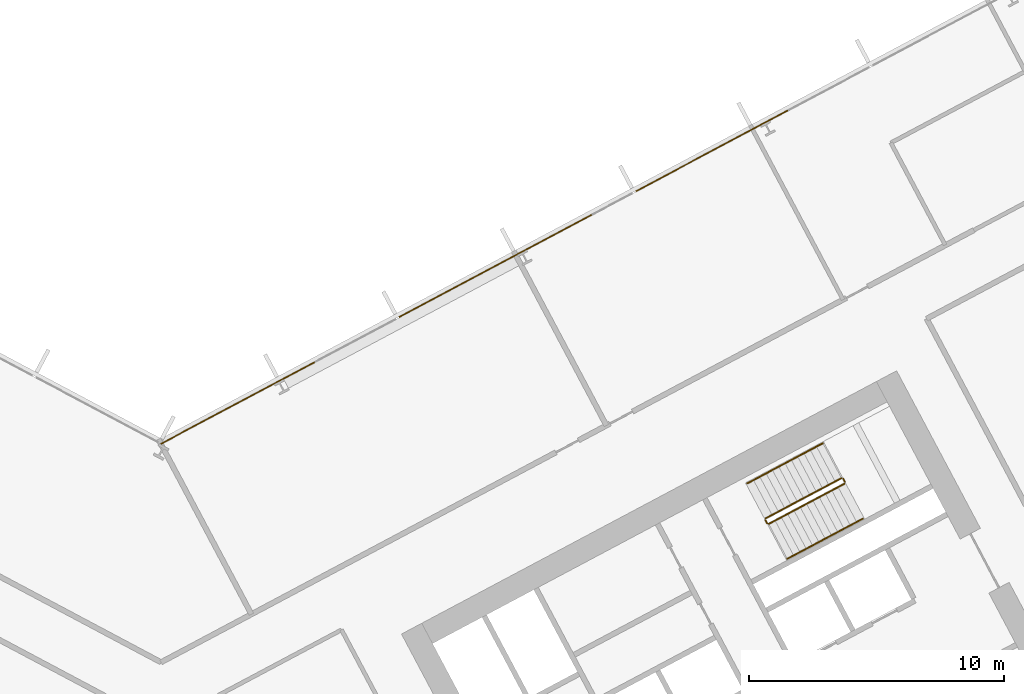
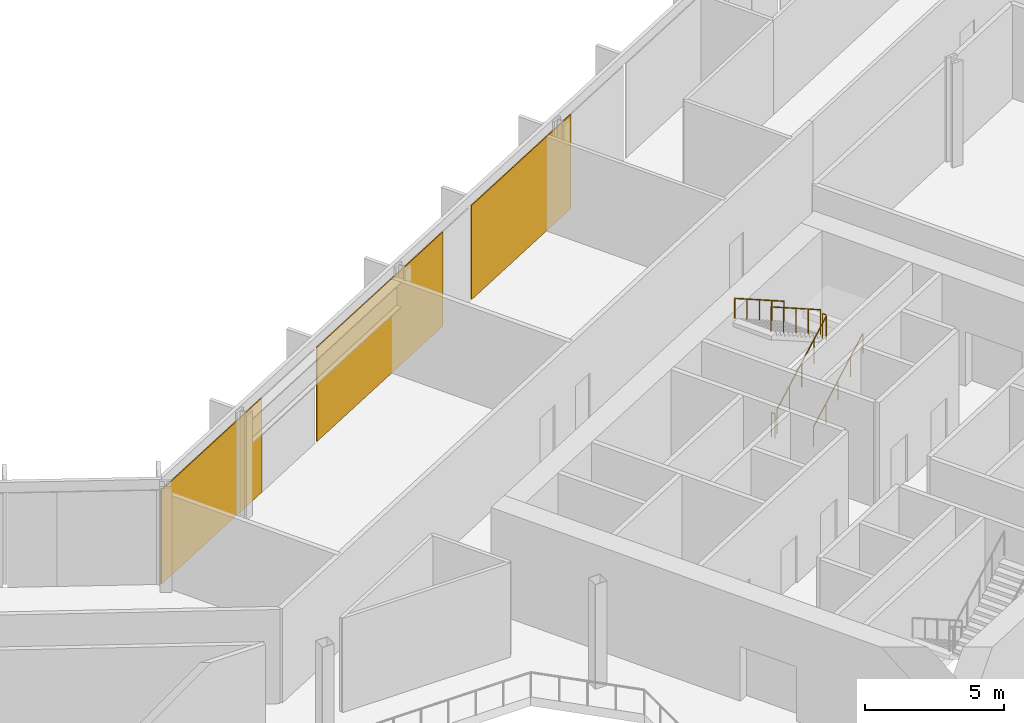
# One storey, part 29 of 31: 6 railings, 3 coverings, 1 element without a shape of its own.
"""IFC4 building model written with IfcOpenShell, lengths in metres."""

from ifc_helpers import new_model, si_unit, direction, frame, origin, origin_2d, place, context, subcontext, project, spatial, polyline, rectangle, outline, extrude, material, layer, layer_set, type_object, element, aggregate, save


model = new_model("IFC4")

# Units and contexts
model_context = context("Model", 3, precision=1e-05, world=origin(), true_north=direction((0.0, 1.0)))
body_context = subcontext(model_context, "Body", "Model", "MODEL_VIEW")
ifc_project = project(units=[si_unit("LENGTHUNIT", "METRE"), si_unit("AREAUNIT", "SQUARE_METRE"), si_unit("VOLUMEUNIT", "CUBIC_METRE"), si_unit("PLANEANGLEUNIT", "RADIAN"), si_unit("MASSUNIT", "GRAM", prefix="KILO")], contexts=[model_context])

# Site, building, storey
site_placement = place(None, origin())
site = spatial("IfcSite", under=ifc_project, at=site_placement, CompositionType="ELEMENT")
building_placement = place(site_placement, origin())
building = spatial("IfcBuilding", under=site, at=building_placement, Name="Cormorant Relay Tower", CompositionType="ELEMENT")
storey_placement = place(building_placement, frame((0.0, 0.0, 107.60009765625)))
storey = spatial("IfcBuildingStorey", under=building, at=storey_placement, Name="L21", CompositionType="ELEMENT", Elevation=107.60009765625)

# Curtain wall, coverings
ifc_material_1 = material(Name="Aluminium 6063-T6 anodised bronze", Category="aluminium")
ifc_layer_1 = layer(ifc_material_1, 0.199951171875)
ifc_layer_set_1 = layer_set([ifc_layer_1], Name="CW1 unitised bronze curtain wall with vertical fins")
curtain_wall_type = type_object("IfcCurtainWallType", Name="CW1 unitised bronze curtain wall with vertical fins", PredefinedType="NOTDEFINED", material=ifc_layer_set_1)
curtain_wall_placement = place(storey_placement, origin())
curtain_wall = element("IfcCurtainWall", 1, at=curtain_wall_placement, inside=storey, type_object=curtain_wall_type, Name="CW1 curtain wall 6", PredefinedType="NOTDEFINED")
ifc_material_2 = material(Name="Pale bronze anodised aluminium insulated panel", Category="aluminium")
ifc_layer_2 = layer(ifc_material_2, 0.0400390625)
ifc_layer_set_2 = layer_set([ifc_layer_2], Name="CW1 pale bronze insulated panel 40")
covering_type = type_object("IfcCoveringType", Name="CW1 pale bronze insulated panel 40", PredefinedType="CLADDING", material=ifc_layer_set_2)
covering_1_placement = place(storey_placement, frame((21.6123046875, 35.298095703125, 0.0), z_axis=(0.0, 0.0, 1.0), x_axis=(-0.882947592859, -0.469471562786, 0.0)))
covering_1 = element("IfcCovering", 2, at=covering_1_placement, type_object=covering_type, Name="CW1 panel S06", PredefinedType="CLADDING", context=body_context, shape_type="SweptSolid", body=[
    extrude(rectangle(XDim=6.765380859375, YDim=0.0400390625, at=origin_2d()), origin(), (0.0, 0.0, 1.0), 4.14990234375),
])
covering_2_placement = place(storey_placement, frame((13.12255859375, 30.7841796875, 0.0), z_axis=(0.0, 0.0, 1.0), x_axis=(-0.882947592859, -0.469471562786, 0.0)))
covering_2 = element("IfcCovering", 3, at=covering_2_placement, type_object=covering_type, Name="CW1 panel S08", PredefinedType="CLADDING", context=body_context, shape_type="SweptSolid", body=[
    extrude(rectangle(XDim=8.565185546875, YDim=0.0400390625, at=origin_2d()), origin(), (0.0, 0.0, 1.0), 4.14990234375),
])
covering_3_placement = place(storey_placement, frame((3.010498046875, 25.4072265625, 0.0), z_axis=(0.0, 0.0, 1.0), x_axis=(-0.882947592859, -0.469471562786, 0.0)))
covering_3 = element("IfcCovering", 4, at=covering_3_placement, type_object=covering_type, Name="CW1 panel S10", PredefinedType="CLADDING", context=body_context, shape_type="SweptSolid", body=[
    extrude(rectangle(XDim=6.84033203125, YDim=0.0400390625, at=origin_2d()), origin(), (0.0, 0.0, 1.0), 4.14990234375),
])
aggregate(curtain_wall, [covering_1, covering_2, covering_3])

# Railings
ifc_material_3 = material(Name="Steel ASTM A572 Grade 50 (Fy 345 MPa)", Category="steel")
railing_type_1 = type_object("IfcRailingType", Name="Stair guard 1100", PredefinedType="GUARDRAIL", material=ifc_material_3)
railing_1_placement = place(storey_placement, frame((23.8408203125, 20.6611328125, 0.1767578125)))
element("IfcRailing", 5, at=railing_1_placement, inside=storey, type_object=railing_type_1, Name="L21 B2 stair guard 1", PredefinedType="GUARDRAIL", context=body_context, shape_type="SweptSolid", body=[
    extrude(outline(polyline([(0.022216796875, 0.00927734375), (0.00927734375, 0.022216796875), (-0.00927734375, 0.022216796875), (-0.022216796875, 0.00927734375), (-0.022216796875, -0.00927734375), (-0.00927734375, -0.022216796875), (0.00927734375, -0.022216796875), (0.022216796875, -0.00927734375), (0.022216796875, 0.00927734375)])), frame((0.0, 0.0, 1.076171875), z_axis=(0.746440668329, 0.396869088057, 0.534154711306), x_axis=(-0.46945269911, 0.882957622595, 0.0)), (0.0, 0.0, 1.0), 3.974609375),
    extrude(outline(polyline([(0.019287109375, 0.008056640625), (0.008056640625, 0.019287109375), (-0.008056640625, 0.019287109375), (-0.019287109375, 0.008056640625), (-0.019287109375, -0.008056640625), (-0.008056640625, -0.019287109375), (0.008056640625, -0.019287109375), (0.019287109375, -0.008056640625), (0.019287109375, 0.008056640625)])), origin(), (0.0, 0.0, 1.0), 1.052001953125),
    extrude(outline(polyline([(0.019287109375, 0.008056640625), (0.008056640625, 0.019287109375), (-0.008056640625, 0.019287109375), (-0.019287109375, 0.008056640625), (-0.019287109375, -0.008056640625), (-0.008056640625, -0.019287109375), (0.008056640625, -0.019287109375), (0.019287109375, -0.008056640625), (0.019287109375, 0.008056640625)])), frame((0.74169921875, 0.394287109375, 0.53076171875)), (0.0, 0.0, 1.0), 1.052001953125),
    extrude(outline(polyline([(0.019287109375, 0.008056640625), (0.008056640625, 0.019287109375), (-0.008056640625, 0.019287109375), (-0.019287109375, 0.008056640625), (-0.019287109375, -0.008056640625), (-0.008056640625, -0.019287109375), (0.008056640625, -0.019287109375), (0.019287109375, -0.008056640625), (0.019287109375, 0.008056640625)])), frame((1.4833984375, 0.78857421875, 1.0615234375)), (0.0, 0.0, 1.0), 1.052001953125),
    extrude(outline(polyline([(0.019287109375, 0.008056640625), (0.008056640625, 0.019287109375), (-0.008056640625, 0.019287109375), (-0.019287109375, 0.008056640625), (-0.019287109375, -0.008056640625), (-0.008056640625, -0.019287109375), (0.008056640625, -0.019287109375), (0.019287109375, -0.008056640625), (0.019287109375, 0.008056640625)])), frame((2.22509765625, 1.18310546875, 1.59228515625)), (0.0, 0.0, 1.0), 1.052001953125),
    extrude(outline(polyline([(0.019287109375, 0.008056640625), (0.008056640625, 0.019287109375), (-0.008056640625, 0.019287109375), (-0.019287109375, 0.008056640625), (-0.019287109375, -0.008056640625), (-0.008056640625, -0.019287109375), (0.008056640625, -0.019287109375), (0.019287109375, -0.008056640625), (0.019287109375, 0.008056640625)])), frame((2.966796875, 1.577392578125, 2.123046875)), (0.0, 0.0, 1.0), 1.052001953125),
])
railing_2_placement = place(storey_placement, frame((26.828125, 22.30615234375, 2.2998046875)))
element("IfcRailing", 6, at=railing_2_placement, inside=storey, type_object=railing_type_1, Name="L21 B2 stair guard 2", PredefinedType="GUARDRAIL", context=body_context, shape_type="SweptSolid", body=[
    extrude(outline(polyline([(0.022216796875, 0.00927734375), (0.00927734375, 0.022216796875), (-0.00927734375, 0.022216796875), (-0.022216796875, 0.00927734375), (-0.022216796875, -0.00927734375), (-0.00927734375, -0.022216796875), (0.00927734375, -0.022216796875), (0.022216796875, -0.00927734375), (0.022216796875, 0.00927734375)])), frame((0.0, 0.0, 1.076171875), z_axis=(-0.469234640946, 0.883073525669, 0.0), x_axis=(-0.883073525669, -0.469234640946, 0.0)), (0.0, 0.0, 1.0), 0.14990234375),
    extrude(outline(polyline([(0.019287109375, 0.008056640625), (0.008056640625, 0.019287109375), (-0.008056640625, 0.019287109375), (-0.019287109375, 0.008056640625), (-0.019287109375, -0.008056640625), (-0.008056640625, -0.019287109375), (0.008056640625, -0.019287109375), (0.019287109375, -0.008056640625), (0.019287109375, 0.008056640625)])), origin(), (0.0, 0.0, 1.0), 1.052001953125),
    extrude(outline(polyline([(0.019287109375, 0.008056640625), (0.008056640625, 0.019287109375), (-0.008056640625, 0.019287109375), (-0.019287109375, 0.008056640625), (-0.019287109375, -0.008056640625), (-0.008056640625, -0.019287109375), (0.008056640625, -0.019287109375), (0.019287109375, -0.008056640625), (0.019287109375, 0.008056640625)])), frame((-0.0703125, 0.13232421875, 0.0)), (0.0, 0.0, 1.0), 1.052001953125),
])
railing_3_placement = place(storey_placement, frame((26.690185546875, 22.459228515625, 2.476806640625)))
element("IfcRailing", 7, at=railing_3_placement, inside=storey, type_object=railing_type_1, Name="L21 B2 stair guard 3", PredefinedType="GUARDRAIL", context=body_context, shape_type="SweptSolid", body=[
    extrude(outline(polyline([(0.022216796875, 0.00927734375), (0.00927734375, 0.022216796875), (-0.00927734375, 0.022216796875), (-0.022216796875, 0.00927734375), (-0.022216796875, -0.00927734375), (-0.00927734375, -0.022216796875), (0.00927734375, -0.022216796875), (0.022216796875, -0.00927734375), (0.022216796875, 0.00927734375)])), frame((0.0, 0.0, 1.076171875), z_axis=(-0.746440668329, -0.396869088057, 0.534154711306), x_axis=(0.46945269911, -0.882957622595, 0.0)), (0.0, 0.0, 1.0), 3.974609375),
    extrude(outline(polyline([(0.019287109375, 0.008056640625), (0.008056640625, 0.019287109375), (-0.008056640625, 0.019287109375), (-0.019287109375, 0.008056640625), (-0.019287109375, -0.008056640625), (-0.008056640625, -0.019287109375), (0.008056640625, -0.019287109375), (0.019287109375, -0.008056640625), (0.019287109375, 0.008056640625)])), origin(), (0.0, 0.0, 1.0), 1.052001953125),
    extrude(outline(polyline([(0.019287109375, 0.008056640625), (0.008056640625, 0.019287109375), (-0.008056640625, 0.019287109375), (-0.019287109375, 0.008056640625), (-0.019287109375, -0.008056640625), (-0.008056640625, -0.019287109375), (0.008056640625, -0.019287109375), (0.019287109375, -0.008056640625), (0.019287109375, 0.008056640625)])), frame((-0.74169921875, -0.394287109375, 0.53076171875)), (0.0, 0.0, 1.0), 1.052001953125),
    extrude(outline(polyline([(0.019287109375, 0.008056640625), (0.008056640625, 0.019287109375), (-0.008056640625, 0.019287109375), (-0.019287109375, 0.008056640625), (-0.019287109375, -0.008056640625), (-0.008056640625, -0.019287109375), (0.008056640625, -0.019287109375), (0.019287109375, -0.008056640625), (0.019287109375, 0.008056640625)])), frame((-1.4833984375, -0.78857421875, 1.0615234375)), (0.0, 0.0, 1.0), 1.052001953125),
    extrude(outline(polyline([(0.019287109375, 0.008056640625), (0.008056640625, 0.019287109375), (-0.008056640625, 0.019287109375), (-0.019287109375, 0.008056640625), (-0.019287109375, -0.008056640625), (-0.008056640625, -0.019287109375), (0.008056640625, -0.019287109375), (0.019287109375, -0.008056640625), (0.019287109375, 0.008056640625)])), frame((-2.22509765625, -1.18310546875, 1.59228515625)), (0.0, 0.0, 1.0), 1.052001953125),
    extrude(outline(polyline([(0.019287109375, 0.008056640625), (0.008056640625, 0.019287109375), (-0.008056640625, 0.019287109375), (-0.019287109375, 0.008056640625), (-0.019287109375, -0.008056640625), (-0.008056640625, -0.019287109375), (0.008056640625, -0.019287109375), (0.019287109375, -0.008056640625), (0.019287109375, 0.008056640625)])), frame((-2.966796875, -1.577392578125, 2.123046875)), (0.0, 0.0, 1.0), 1.052001953125),
])
railing_4_placement = place(storey_placement, frame((23.773193359375, 20.681640625, 0.0)))
element("IfcRailing", 8, at=railing_4_placement, inside=storey, type_object=railing_type_1, Name="L21 B2 stair guard 4", PredefinedType="GUARDRAIL", context=body_context, shape_type="SweptSolid", body=[
    extrude(outline(polyline([(0.022216796875, 0.00927734375), (0.00927734375, 0.022216796875), (-0.00927734375, 0.022216796875), (-0.022216796875, 0.00927734375), (-0.022216796875, -0.00927734375), (-0.00927734375, -0.022216796875), (0.00927734375, -0.022216796875), (0.022216796875, -0.00927734375), (0.022216796875, 0.00927734375)])), frame((0.0, 0.0, 1.076171875), z_axis=(-0.46856034887, 0.8834314911, 0.0), x_axis=(-0.8834314911, -0.46856034887, 0.0)), (0.0, 0.0, 1.0), 0.150146484375),
    extrude(outline(polyline([(0.019287109375, 0.008056640625), (0.008056640625, 0.019287109375), (-0.008056640625, 0.019287109375), (-0.019287109375, 0.008056640625), (-0.019287109375, -0.008056640625), (-0.008056640625, -0.019287109375), (0.008056640625, -0.019287109375), (0.019287109375, -0.008056640625), (0.019287109375, 0.008056640625)])), origin(), (0.0, 0.0, 1.0), 1.052001953125),
    extrude(outline(polyline([(0.019287109375, 0.008056640625), (0.008056640625, 0.019287109375), (-0.008056640625, 0.019287109375), (-0.019287109375, 0.008056640625), (-0.019287109375, -0.008056640625), (-0.008056640625, -0.019287109375), (0.008056640625, -0.019287109375), (0.019287109375, -0.008056640625), (0.019287109375, 0.008056640625)])), frame((-0.0703125, 0.132568359375, 0.0)), (0.0, 0.0, 1.0), 1.052001953125),
])
ifc_material_4 = material(Name="Steel ASTM A572 Grade 50 (Fy 345 MPa)", Category="steel")
railing_type_2 = type_object("IfcRailingType", Name="Stair handrail 900", PredefinedType="HANDRAIL", material=ifc_material_4)
railing_5_placement = place(storey_placement, frame((24.568603515625, 19.29248046875, 0.1767578125)))
element("IfcRailing", 9, at=railing_5_placement, inside=storey, type_object=railing_type_2, Name="L21 B2 stair handrail 1", PredefinedType="HANDRAIL", context=body_context, shape_type="SweptSolid", body=[
    extrude(outline(polyline([(0.022216796875, 0.00927734375), (0.00927734375, 0.022216796875), (-0.00927734375, 0.022216796875), (-0.022216796875, 0.00927734375), (-0.022216796875, -0.00927734375), (-0.00927734375, -0.022216796875), (0.00927734375, -0.022216796875), (0.022216796875, -0.00927734375), (0.022216796875, 0.00927734375)])), frame((0.0, 0.0, 0.8759765625), z_axis=(0.746413465702, 0.396887285154, 0.534179203172), x_axis=(-0.469482818608, 0.88294160794, 0.0)), (0.0, 0.0, 1.0), 3.974365234375),
    extrude(outline(polyline([(0.019287109375, 0.008056640625), (0.008056640625, 0.019287109375), (-0.008056640625, 0.019287109375), (-0.019287109375, 0.008056640625), (-0.019287109375, -0.008056640625), (-0.008056640625, -0.019287109375), (0.008056640625, -0.019287109375), (0.019287109375, -0.008056640625), (0.019287109375, 0.008056640625)])), origin(), (0.0, 0.0, 1.0), 0.851806640625),
    extrude(outline(polyline([(0.019287109375, 0.008056640625), (0.008056640625, 0.019287109375), (-0.008056640625, 0.019287109375), (-0.019287109375, 0.008056640625), (-0.019287109375, -0.008056640625), (-0.008056640625, -0.019287109375), (0.008056640625, -0.019287109375), (0.019287109375, -0.008056640625), (0.019287109375, 0.008056640625)])), frame((0.74169921875, 0.394287109375, 0.53076171875)), (0.0, 0.0, 1.0), 0.851806640625),
    extrude(outline(polyline([(0.019287109375, 0.008056640625), (0.008056640625, 0.019287109375), (-0.008056640625, 0.019287109375), (-0.019287109375, 0.008056640625), (-0.019287109375, -0.008056640625), (-0.008056640625, -0.019287109375), (0.008056640625, -0.019287109375), (0.019287109375, -0.008056640625), (0.019287109375, 0.008056640625)])), frame((1.4833984375, 0.78857421875, 1.0615234375)), (0.0, 0.0, 1.0), 0.851806640625),
    extrude(outline(polyline([(0.019287109375, 0.008056640625), (0.008056640625, 0.019287109375), (-0.008056640625, 0.019287109375), (-0.019287109375, 0.008056640625), (-0.019287109375, -0.008056640625), (-0.008056640625, -0.019287109375), (0.008056640625, -0.019287109375), (0.019287109375, -0.008056640625), (0.019287109375, 0.008056640625)])), frame((2.224853515625, 1.18310546875, 1.59228515625)), (0.0, 0.0, 1.0), 0.851806640625),
    extrude(outline(polyline([(0.019287109375, 0.008056640625), (0.008056640625, 0.019287109375), (-0.008056640625, 0.019287109375), (-0.019287109375, 0.008056640625), (-0.019287109375, -0.008056640625), (-0.008056640625, -0.019287109375), (0.008056640625, -0.019287109375), (0.019287109375, -0.008056640625), (0.019287109375, 0.008056640625)])), frame((2.966552734375, 1.577392578125, 2.123046875)), (0.0, 0.0, 1.0), 0.851806640625),
])
railing_6_placement = place(storey_placement, frame((25.96240234375, 23.827880859375, 2.476806640625)))
element("IfcRailing", 10, at=railing_6_placement, inside=storey, type_object=railing_type_2, Name="L21 B2 stair handrail 2", PredefinedType="HANDRAIL", context=body_context, shape_type="SweptSolid", body=[
    extrude(outline(polyline([(0.022216796875, 0.00927734375), (0.00927734375, 0.022216796875), (-0.00927734375, 0.022216796875), (-0.022216796875, 0.00927734375), (-0.022216796875, -0.00927734375), (-0.00927734375, -0.022216796875), (0.00927734375, -0.022216796875), (0.022216796875, -0.00927734375), (0.022216796875, 0.00927734375)])), frame((0.0, 0.0, 0.8759765625), z_axis=(-0.74639526736, -0.39693903528, 0.534166179324), x_axis=(0.469539463624, -0.882911485994, 0.0)), (0.0, 0.0, 1.0), 3.974609375),
    extrude(outline(polyline([(0.019287109375, 0.008056640625), (0.008056640625, 0.019287109375), (-0.008056640625, 0.019287109375), (-0.019287109375, 0.008056640625), (-0.019287109375, -0.008056640625), (-0.008056640625, -0.019287109375), (0.008056640625, -0.019287109375), (0.019287109375, -0.008056640625), (0.019287109375, 0.008056640625)])), origin(), (0.0, 0.0, 1.0), 0.851806640625),
    extrude(outline(polyline([(0.019287109375, 0.008056640625), (0.008056640625, 0.019287109375), (-0.008056640625, 0.019287109375), (-0.019287109375, 0.008056640625), (-0.019287109375, -0.008056640625), (-0.008056640625, -0.019287109375), (0.008056640625, -0.019287109375), (0.019287109375, -0.008056640625), (0.019287109375, 0.008056640625)])), frame((-0.74169921875, -0.39453125, 0.53076171875)), (0.0, 0.0, 1.0), 0.851806640625),
    extrude(outline(polyline([(0.019287109375, 0.008056640625), (0.008056640625, 0.019287109375), (-0.008056640625, 0.019287109375), (-0.019287109375, 0.008056640625), (-0.019287109375, -0.008056640625), (-0.008056640625, -0.019287109375), (0.008056640625, -0.019287109375), (0.019287109375, -0.008056640625), (0.019287109375, 0.008056640625)])), frame((-1.4833984375, -0.788818359375, 1.0615234375)), (0.0, 0.0, 1.0), 0.851806640625),
    extrude(outline(polyline([(0.019287109375, 0.008056640625), (0.008056640625, 0.019287109375), (-0.008056640625, 0.019287109375), (-0.019287109375, 0.008056640625), (-0.019287109375, -0.008056640625), (-0.008056640625, -0.019287109375), (0.008056640625, -0.019287109375), (0.019287109375, -0.008056640625), (0.019287109375, 0.008056640625)])), frame((-2.224853515625, -1.18310546875, 1.59228515625)), (0.0, 0.0, 1.0), 0.851806640625),
    extrude(outline(polyline([(0.019287109375, 0.008056640625), (0.008056640625, 0.019287109375), (-0.008056640625, 0.019287109375), (-0.019287109375, 0.008056640625), (-0.019287109375, -0.008056640625), (-0.008056640625, -0.019287109375), (0.008056640625, -0.019287109375), (0.019287109375, -0.008056640625), (0.019287109375, 0.008056640625)])), frame((-2.966552734375, -1.57763671875, 2.123046875)), (0.0, 0.0, 1.0), 0.851806640625),
])

save(model, "model.ifc")
